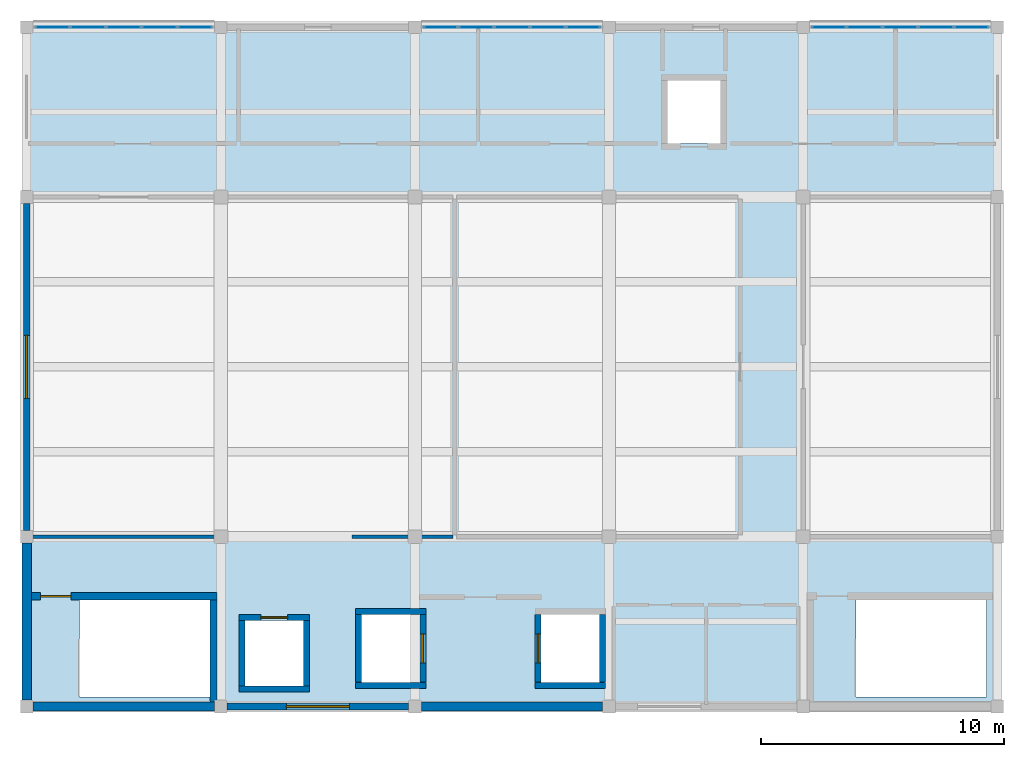
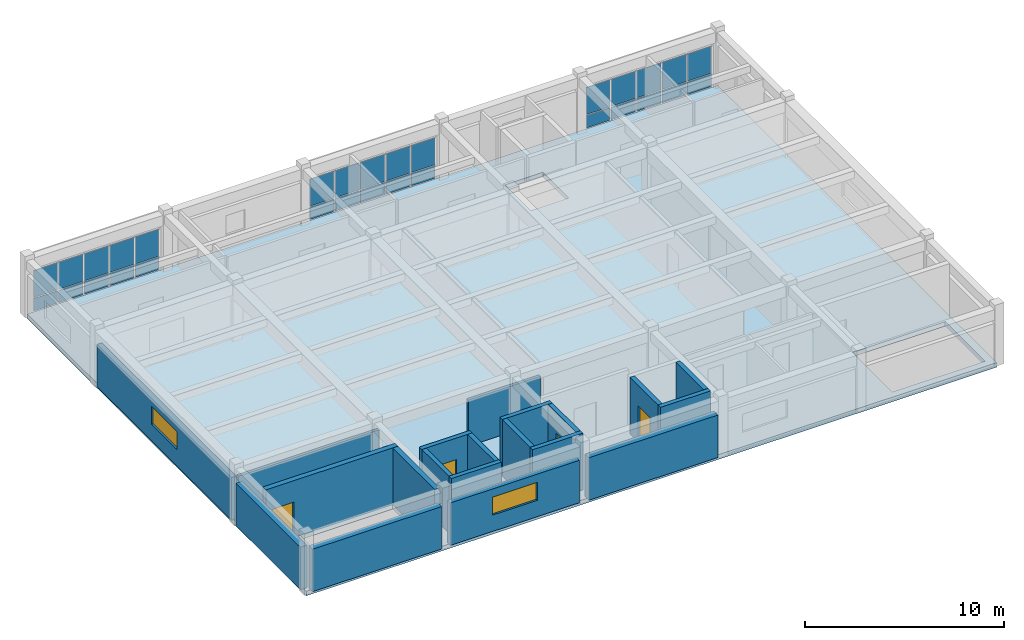
# One storey, part 4 of 7: 30 plates, 20 walls, 4 doors, 2 windows, 1 slab, 6 openings, 3 elements without a shape of their own.
"""IFC4 building model written with IfcOpenShell, lengths in metres."""

from ifc_helpers import new_model, si_unit, direction, frame, frame_2d, origin, origin_2d, place, context, subcontext, project, spatial, polyline, rectangle, outline, extrude, material, layer, layer_set, type_object, element, fill, aggregate, save


model = new_model("IFC4")

# Units and contexts
model_context = context("Model", 3, precision=1e-05, world=origin(), true_north=direction((0.0, 1.0)))
body_context = subcontext(model_context, "Body", "Model", "MODEL_VIEW")
ifc_project = project(units=[si_unit("LENGTHUNIT", "METRE"), si_unit("AREAUNIT", "SQUARE_METRE"), si_unit("VOLUMEUNIT", "CUBIC_METRE"), si_unit("PLANEANGLEUNIT", "RADIAN"), si_unit("MASSUNIT", "GRAM", prefix="KILO")], contexts=[model_context])

# Site, building, storey
site_placement = place(None, origin())
site = spatial("IfcSite", under=ifc_project, at=site_placement, CompositionType="ELEMENT")
building_placement = place(site_placement, origin())
building = spatial("IfcBuilding", under=site, at=building_placement, Name="Naurynzar Civic Courthouse", CompositionType="ELEMENT")
storey_placement = place(building_placement, frame((0.0, 0.0, 37.050048828125)))
storey = spatial("IfcBuildingStorey", under=building, at=storey_placement, Name="L10", CompositionType="ELEMENT", Elevation=37.050048828125)

# Curtain wall, plates
ifc_material_1 = material(Name="Aluminium 6063-T6", Category="aluminium")
ifc_layer_1 = layer(ifc_material_1, 0.179931640625)
ifc_layer_set_1 = layer_set([ifc_layer_1], Name="CW-UNIT-1500")
curtain_wall_type = type_object("IfcCurtainWallType", Name="CW-UNIT-1500", PredefinedType="NOTDEFINED", material=ifc_layer_set_1)
curtain_wall_1_placement = place(storey_placement, origin())
curtain_wall_1 = element("IfcCurtainWall", 1, at=curtain_wall_1_placement, inside=storey, type_object=curtain_wall_type, Name="V2 unitised curtain wall 61 L10", PredefinedType="NOTDEFINED")
ifc_material_2 = material(Name="Tempered Laminated Low-E Glass", Category="glass")
ifc_layer_2 = layer(ifc_material_2, 0.031982421875)
ifc_layer_set_2 = layer_set([ifc_layer_2], Name="CWP-IGU-32")
plate_type = type_object("IfcPlateType", Name="CWP-IGU-32", PredefinedType="CURTAIN_PANEL", material=ifc_layer_set_2)
plate_1_placement = place(storey_placement, frame((70.06494140625, 72.0, 0.06005859375), z_axis=(0.0, 0.0, 1.0), x_axis=(1.0, 0.0, 0.0)))
plate_1 = element("IfcPlate", 2, at=plate_1_placement, type_object=plate_type, Name="CW-01 panel 1.1", PredefinedType="CURTAIN_PANEL", context=body_context, shape_type="SweptSolid", body=[
    extrude(rectangle(XDim=1.385009765625, YDim=0.031982421875, at=origin_2d()), origin(), (0.0, 0.0, 1.0), 0.760009765625),
])
plate_2_placement = place(storey_placement, frame((70.06494140625, 72.0, 0.8798828125), z_axis=(0.0, 0.0, 1.0), x_axis=(1.0, 0.0, 0.0)))
plate_2 = element("IfcPlate", 3, at=plate_2_placement, type_object=plate_type, Name="CW-01 panel 1.2", PredefinedType="CURTAIN_PANEL", context=body_context, shape_type="SweptSolid", body=[
    extrude(rectangle(XDim=1.385009765625, YDim=0.031982421875, at=origin_2d()), origin(), (0.0, 0.0, 1.0), 1.659912109375),
])
plate_3_placement = place(storey_placement, frame((71.52490234375, 72.0, 0.06005859375), z_axis=(0.0, 0.0, 1.0), x_axis=(1.0, 0.0, 0.0)))
plate_3 = element("IfcPlate", 4, at=plate_3_placement, type_object=plate_type, Name="CW-01 panel 2.1", PredefinedType="CURTAIN_PANEL", context=body_context, shape_type="SweptSolid", body=[
    extrude(rectangle(XDim=1.4150390625, YDim=0.031982421875, at=origin_2d()), origin(), (0.0, 0.0, 1.0), 0.760009765625),
])
plate_4_placement = place(storey_placement, frame((71.52490234375, 72.0, 0.8798828125), z_axis=(0.0, 0.0, 1.0), x_axis=(1.0, 0.0, 0.0)))
plate_4 = element("IfcPlate", 5, at=plate_4_placement, type_object=plate_type, Name="CW-01 panel 2.2", PredefinedType="CURTAIN_PANEL", context=body_context, shape_type="SweptSolid", body=[
    extrude(rectangle(XDim=1.4150390625, YDim=0.031982421875, at=origin_2d()), origin(), (0.0, 0.0, 1.0), 1.659912109375),
])
plate_5_placement = place(storey_placement, frame((73.0, 72.0, 0.06005859375), z_axis=(0.0, 0.0, 1.0), x_axis=(1.0, 0.0, 0.0)))
plate_5 = element("IfcPlate", 6, at=plate_5_placement, type_object=plate_type, Name="CW-01 panel 3.1", PredefinedType="CURTAIN_PANEL", context=body_context, shape_type="SweptSolid", body=[
    extrude(rectangle(XDim=1.4150390625, YDim=0.031982421875, at=origin_2d()), origin(), (0.0, 0.0, 1.0), 0.760009765625),
])
plate_6_placement = place(storey_placement, frame((73.0, 72.0, 0.8798828125), z_axis=(0.0, 0.0, 1.0), x_axis=(1.0, 0.0, 0.0)))
plate_6 = element("IfcPlate", 7, at=plate_6_placement, type_object=plate_type, Name="CW-01 panel 3.2", PredefinedType="CURTAIN_PANEL", context=body_context, shape_type="SweptSolid", body=[
    extrude(rectangle(XDim=1.4150390625, YDim=0.031982421875, at=origin_2d()), origin(), (0.0, 0.0, 1.0), 1.659912109375),
])
plate_7_placement = place(storey_placement, frame((74.47509765625, 72.0, 0.06005859375), z_axis=(0.0, 0.0, 1.0), x_axis=(1.0, 0.0, 0.0)))
plate_7 = element("IfcPlate", 8, at=plate_7_placement, type_object=plate_type, Name="CW-01 panel 4.1", PredefinedType="CURTAIN_PANEL", context=body_context, shape_type="SweptSolid", body=[
    extrude(rectangle(XDim=1.4150390625, YDim=0.031982421875, at=origin_2d()), origin(), (0.0, 0.0, 1.0), 0.760009765625),
])
plate_8_placement = place(storey_placement, frame((74.47509765625, 72.0, 0.8798828125), z_axis=(0.0, 0.0, 1.0), x_axis=(1.0, 0.0, 0.0)))
plate_8 = element("IfcPlate", 9, at=plate_8_placement, type_object=plate_type, Name="CW-01 panel 4.2", PredefinedType="CURTAIN_PANEL", context=body_context, shape_type="SweptSolid", body=[
    extrude(rectangle(XDim=1.4150390625, YDim=0.031982421875, at=origin_2d()), origin(), (0.0, 0.0, 1.0), 1.659912109375),
])
plate_9_placement = place(storey_placement, frame((75.93505859375, 72.0, 0.06005859375), z_axis=(0.0, 0.0, 1.0), x_axis=(1.0, 0.0, 0.0)))
plate_9 = element("IfcPlate", 10, at=plate_9_placement, type_object=plate_type, Name="CW-01 panel 5.1", PredefinedType="CURTAIN_PANEL", context=body_context, shape_type="SweptSolid", body=[
    extrude(rectangle(XDim=1.385009765625, YDim=0.031982421875, at=origin_2d()), origin(), (0.0, 0.0, 1.0), 0.760009765625),
])
plate_10_placement = place(storey_placement, frame((75.93505859375, 72.0, 0.8798828125), z_axis=(0.0, 0.0, 1.0), x_axis=(1.0, 0.0, 0.0)))
plate_10 = element("IfcPlate", 11, at=plate_10_placement, type_object=plate_type, Name="CW-01 panel 5.2", PredefinedType="CURTAIN_PANEL", context=body_context, shape_type="SweptSolid", body=[
    extrude(rectangle(XDim=1.385009765625, YDim=0.031982421875, at=origin_2d()), origin(), (0.0, 0.0, 1.0), 1.659912109375),
])
aggregate(curtain_wall_1, [plate_1, plate_2, plate_3, plate_4, plate_5, plate_6, plate_7, plate_8, plate_9, plate_10])

curtain_wall_2_placement = place(storey_placement, origin())
curtain_wall_2 = element("IfcCurtainWall", 12, at=curtain_wall_2_placement, inside=storey, type_object=curtain_wall_type, Name="V2 unitised curtain wall 62 L10", PredefinedType="NOTDEFINED")
plate_11_placement = place(storey_placement, frame((86.06494140625, 72.0, 0.06005859375), z_axis=(0.0, 0.0, 1.0), x_axis=(1.0, 0.0, 0.0)))
plate_11 = element("IfcPlate", 13, at=plate_11_placement, type_object=plate_type, Name="CW-01 panel 1.1", PredefinedType="CURTAIN_PANEL", context=body_context, shape_type="SweptSolid", body=[
    extrude(rectangle(XDim=1.385009765625, YDim=0.031982421875, at=origin_2d()), origin(), (0.0, 0.0, 1.0), 0.760009765625),
])
plate_12_placement = place(storey_placement, frame((86.06494140625, 72.0, 0.8798828125), z_axis=(0.0, 0.0, 1.0), x_axis=(1.0, 0.0, 0.0)))
plate_12 = element("IfcPlate", 14, at=plate_12_placement, type_object=plate_type, Name="CW-01 panel 1.2", PredefinedType="CURTAIN_PANEL", context=body_context, shape_type="SweptSolid", body=[
    extrude(rectangle(XDim=1.385009765625, YDim=0.031982421875, at=origin_2d()), origin(), (0.0, 0.0, 1.0), 1.659912109375),
])
plate_13_placement = place(storey_placement, frame((87.52490234375, 72.0, 0.06005859375), z_axis=(0.0, 0.0, 1.0), x_axis=(1.0, 0.0, 0.0)))
plate_13 = element("IfcPlate", 15, at=plate_13_placement, type_object=plate_type, Name="CW-01 panel 2.1", PredefinedType="CURTAIN_PANEL", context=body_context, shape_type="SweptSolid", body=[
    extrude(rectangle(XDim=1.4150390625, YDim=0.031982421875, at=origin_2d()), origin(), (0.0, 0.0, 1.0), 0.760009765625),
])
plate_14_placement = place(storey_placement, frame((87.52490234375, 72.0, 0.8798828125), z_axis=(0.0, 0.0, 1.0), x_axis=(1.0, 0.0, 0.0)))
plate_14 = element("IfcPlate", 16, at=plate_14_placement, type_object=plate_type, Name="CW-01 panel 2.2", PredefinedType="CURTAIN_PANEL", context=body_context, shape_type="SweptSolid", body=[
    extrude(rectangle(XDim=1.4150390625, YDim=0.031982421875, at=origin_2d()), origin(), (0.0, 0.0, 1.0), 1.659912109375),
])
plate_15_placement = place(storey_placement, frame((89.0, 72.0, 0.06005859375), z_axis=(0.0, 0.0, 1.0), x_axis=(1.0, 0.0, 0.0)))
plate_15 = element("IfcPlate", 17, at=plate_15_placement, type_object=plate_type, Name="CW-01 panel 3.1", PredefinedType="CURTAIN_PANEL", context=body_context, shape_type="SweptSolid", body=[
    extrude(rectangle(XDim=1.4150390625, YDim=0.031982421875, at=origin_2d()), origin(), (0.0, 0.0, 1.0), 0.760009765625),
])
plate_16_placement = place(storey_placement, frame((89.0, 72.0, 0.8798828125), z_axis=(0.0, 0.0, 1.0), x_axis=(1.0, 0.0, 0.0)))
plate_16 = element("IfcPlate", 18, at=plate_16_placement, type_object=plate_type, Name="CW-01 panel 3.2", PredefinedType="CURTAIN_PANEL", context=body_context, shape_type="SweptSolid", body=[
    extrude(rectangle(XDim=1.4150390625, YDim=0.031982421875, at=origin_2d()), origin(), (0.0, 0.0, 1.0), 1.659912109375),
])
plate_17_placement = place(storey_placement, frame((90.47509765625, 72.0, 0.06005859375), z_axis=(0.0, 0.0, 1.0), x_axis=(1.0, 0.0, 0.0)))
plate_17 = element("IfcPlate", 19, at=plate_17_placement, type_object=plate_type, Name="CW-01 panel 4.1", PredefinedType="CURTAIN_PANEL", context=body_context, shape_type="SweptSolid", body=[
    extrude(rectangle(XDim=1.4150390625, YDim=0.031982421875, at=origin_2d()), origin(), (0.0, 0.0, 1.0), 0.760009765625),
])
plate_18_placement = place(storey_placement, frame((90.47509765625, 72.0, 0.8798828125), z_axis=(0.0, 0.0, 1.0), x_axis=(1.0, 0.0, 0.0)))
plate_18 = element("IfcPlate", 20, at=plate_18_placement, type_object=plate_type, Name="CW-01 panel 4.2", PredefinedType="CURTAIN_PANEL", context=body_context, shape_type="SweptSolid", body=[
    extrude(rectangle(XDim=1.4150390625, YDim=0.031982421875, at=origin_2d()), origin(), (0.0, 0.0, 1.0), 1.659912109375),
])
plate_19_placement = place(storey_placement, frame((91.93505859375, 72.0, 0.06005859375), z_axis=(0.0, 0.0, 1.0), x_axis=(1.0, 0.0, 0.0)))
plate_19 = element("IfcPlate", 21, at=plate_19_placement, type_object=plate_type, Name="CW-01 panel 5.1", PredefinedType="CURTAIN_PANEL", context=body_context, shape_type="SweptSolid", body=[
    extrude(rectangle(XDim=1.385009765625, YDim=0.031982421875, at=origin_2d()), origin(), (0.0, 0.0, 1.0), 0.760009765625),
])
plate_20_placement = place(storey_placement, frame((91.93505859375, 72.0, 0.8798828125), z_axis=(0.0, 0.0, 1.0), x_axis=(1.0, 0.0, 0.0)))
plate_20 = element("IfcPlate", 22, at=plate_20_placement, type_object=plate_type, Name="CW-01 panel 5.2", PredefinedType="CURTAIN_PANEL", context=body_context, shape_type="SweptSolid", body=[
    extrude(rectangle(XDim=1.385009765625, YDim=0.031982421875, at=origin_2d()), origin(), (0.0, 0.0, 1.0), 1.659912109375),
])
aggregate(curtain_wall_2, [plate_11, plate_12, plate_13, plate_14, plate_15, plate_16, plate_17, plate_18, plate_19, plate_20])

curtain_wall_3_placement = place(storey_placement, origin())
curtain_wall_3 = element("IfcCurtainWall", 23, at=curtain_wall_3_placement, inside=storey, type_object=curtain_wall_type, Name="V2 unitised curtain wall 63 L10", PredefinedType="NOTDEFINED")
plate_21_placement = place(storey_placement, frame((102.06494140625, 72.0, 0.06005859375), z_axis=(0.0, 0.0, 1.0), x_axis=(1.0, 0.0, 0.0)))
plate_21 = element("IfcPlate", 24, at=plate_21_placement, type_object=plate_type, Name="CW-01 panel 1.1", PredefinedType="CURTAIN_PANEL", context=body_context, shape_type="SweptSolid", body=[
    extrude(rectangle(XDim=1.385009765625, YDim=0.031982421875, at=origin_2d()), origin(), (0.0, 0.0, 1.0), 0.760009765625),
])
plate_22_placement = place(storey_placement, frame((102.06494140625, 72.0, 0.8798828125), z_axis=(0.0, 0.0, 1.0), x_axis=(1.0, 0.0, 0.0)))
plate_22 = element("IfcPlate", 25, at=plate_22_placement, type_object=plate_type, Name="CW-01 panel 1.2", PredefinedType="CURTAIN_PANEL", context=body_context, shape_type="SweptSolid", body=[
    extrude(rectangle(XDim=1.385009765625, YDim=0.031982421875, at=origin_2d()), origin(), (0.0, 0.0, 1.0), 1.659912109375),
])
plate_23_placement = place(storey_placement, frame((103.52490234375, 72.0, 0.06005859375), z_axis=(0.0, 0.0, 1.0), x_axis=(1.0, 0.0, 0.0)))
plate_23 = element("IfcPlate", 26, at=plate_23_placement, type_object=plate_type, Name="CW-01 panel 2.1", PredefinedType="CURTAIN_PANEL", context=body_context, shape_type="SweptSolid", body=[
    extrude(rectangle(XDim=1.4150390625, YDim=0.031982421875, at=origin_2d()), origin(), (0.0, 0.0, 1.0), 0.760009765625),
])
plate_24_placement = place(storey_placement, frame((103.52490234375, 72.0, 0.8798828125), z_axis=(0.0, 0.0, 1.0), x_axis=(1.0, 0.0, 0.0)))
plate_24 = element("IfcPlate", 27, at=plate_24_placement, type_object=plate_type, Name="CW-01 panel 2.2", PredefinedType="CURTAIN_PANEL", context=body_context, shape_type="SweptSolid", body=[
    extrude(rectangle(XDim=1.4150390625, YDim=0.031982421875, at=origin_2d()), origin(), (0.0, 0.0, 1.0), 1.659912109375),
])
plate_25_placement = place(storey_placement, frame((105.0, 72.0, 0.06005859375), z_axis=(0.0, 0.0, 1.0), x_axis=(1.0, 0.0, 0.0)))
plate_25 = element("IfcPlate", 28, at=plate_25_placement, type_object=plate_type, Name="CW-01 panel 3.1", PredefinedType="CURTAIN_PANEL", context=body_context, shape_type="SweptSolid", body=[
    extrude(rectangle(XDim=1.4150390625, YDim=0.031982421875, at=origin_2d()), origin(), (0.0, 0.0, 1.0), 0.760009765625),
])
plate_26_placement = place(storey_placement, frame((105.0, 72.0, 0.8798828125), z_axis=(0.0, 0.0, 1.0), x_axis=(1.0, 0.0, 0.0)))
plate_26 = element("IfcPlate", 29, at=plate_26_placement, type_object=plate_type, Name="CW-01 panel 3.2", PredefinedType="CURTAIN_PANEL", context=body_context, shape_type="SweptSolid", body=[
    extrude(rectangle(XDim=1.4150390625, YDim=0.031982421875, at=origin_2d()), origin(), (0.0, 0.0, 1.0), 1.659912109375),
])
plate_27_placement = place(storey_placement, frame((106.47509765625, 72.0, 0.06005859375), z_axis=(0.0, 0.0, 1.0), x_axis=(1.0, 0.0, 0.0)))
plate_27 = element("IfcPlate", 30, at=plate_27_placement, type_object=plate_type, Name="CW-01 panel 4.1", PredefinedType="CURTAIN_PANEL", context=body_context, shape_type="SweptSolid", body=[
    extrude(rectangle(XDim=1.4150390625, YDim=0.031982421875, at=origin_2d()), origin(), (0.0, 0.0, 1.0), 0.760009765625),
])
plate_28_placement = place(storey_placement, frame((106.47509765625, 72.0, 0.8798828125), z_axis=(0.0, 0.0, 1.0), x_axis=(1.0, 0.0, 0.0)))
plate_28 = element("IfcPlate", 31, at=plate_28_placement, type_object=plate_type, Name="CW-01 panel 4.2", PredefinedType="CURTAIN_PANEL", context=body_context, shape_type="SweptSolid", body=[
    extrude(rectangle(XDim=1.4150390625, YDim=0.031982421875, at=origin_2d()), origin(), (0.0, 0.0, 1.0), 1.659912109375),
])
plate_29_placement = place(storey_placement, frame((107.93505859375, 72.0, 0.06005859375), z_axis=(0.0, 0.0, 1.0), x_axis=(1.0, 0.0, 0.0)))
plate_29 = element("IfcPlate", 32, at=plate_29_placement, type_object=plate_type, Name="CW-01 panel 5.1", PredefinedType="CURTAIN_PANEL", context=body_context, shape_type="SweptSolid", body=[
    extrude(rectangle(XDim=1.385009765625, YDim=0.031982421875, at=origin_2d()), origin(), (0.0, 0.0, 1.0), 0.760009765625),
])
plate_30_placement = place(storey_placement, frame((107.93505859375, 72.0, 0.8798828125), z_axis=(0.0, 0.0, 1.0), x_axis=(1.0, 0.0, 0.0)))
plate_30 = element("IfcPlate", 33, at=plate_30_placement, type_object=plate_type, Name="CW-01 panel 5.2", PredefinedType="CURTAIN_PANEL", context=body_context, shape_type="SweptSolid", body=[
    extrude(rectangle(XDim=1.385009765625, YDim=0.031982421875, at=origin_2d()), origin(), (0.0, 0.0, 1.0), 1.659912109375),
])
aggregate(curtain_wall_3, [plate_21, plate_22, plate_23, plate_24, plate_25, plate_26, plate_27, plate_28, plate_29, plate_30])

# Slab
ifc_material_3 = material(Name="Concrete C35/45", Category="concrete")
ifc_layer_3 = layer(ifc_material_3, 0.280029296875)
ifc_layer_set_3 = layer_set([ifc_layer_3], Name="SLB-PT-280")
slab_type = type_object("IfcSlabType", Name="SLB-PT-280", PredefinedType="FLOOR", material=ifc_layer_set_3)
slab_placement = place(storey_placement, frame((0.0, 0.0, -0.280029296875)))
element("IfcSlab", 34, at=slab_placement, inside=storey, type_object=slab_type, Name="V2 floor slab L10", PredefinedType="FLOOR", context=body_context, shape_type="SweptSolid", body=[
    extrude(outline(polyline([(109.0, 44.0), (109.0, 72.0), (69.0, 72.0), (69.0, 44.0), (109.0, 44.0)]), holes=[polyline([(71.179931640625, 44.39990234375), (76.550048828125, 44.39990234375), (76.550048828125, 48.39990234375), (71.179931640625, 48.39990234375), (71.179931640625, 44.39990234375)]), polyline([(103.179931640625, 44.39990234375), (108.550048828125, 44.39990234375), (108.550048828125, 48.39990234375), (103.179931640625, 48.39990234375), (103.179931640625, 44.39990234375)]), polyline([(78.0, 44.85009765625), (80.39990234375, 44.85009765625), (80.39990234375, 47.550048828125), (78.0, 47.550048828125), (78.0, 44.85009765625)]), polyline([(82.800048828125, 45.0), (85.199951171875, 45.0), (85.199951171875, 47.800048828125), (82.800048828125, 47.800048828125), (82.800048828125, 45.0)]), polyline([(90.199951171875, 45.0), (92.60009765625, 45.0), (92.60009765625, 47.800048828125), (90.199951171875, 47.800048828125), (90.199951171875, 45.0)]), polyline([(95.39990234375, 67.199951171875), (97.60009765625, 67.199951171875), (97.60009765625, 69.800048828125), (95.39990234375, 69.800048828125), (95.39990234375, 67.199951171875)])]), origin(), (0.0, 0.0, 1.0), 0.280029296875),
])

# Walls
ifc_material_4 = material(Name="Acoustic Double-Stud Gypsum Partition")
ifc_layer_4 = layer(ifc_material_4, 0.155029296875)
ifc_layer_set_4 = layer_set([ifc_layer_4], Name="WL-ACOUSTIC-155")
wall_type_1 = type_object("IfcWallType", Name="WL-ACOUSTIC-155", PredefinedType="PARTITIONING", material=ifc_layer_set_4)
wall_1_placement = place(storey_placement, frame((69.080078125, 51.0, 0.0), z_axis=(0.0, 0.0, 1.0), x_axis=(1.0, 0.0, 0.0)))
element("IfcWall", 35, at=wall_1_placement, inside=storey, type_object=wall_type_1, Name="V2 interior partition L10.837", PredefinedType="PARTITIONING", context=body_context, shape_type="SweptSolid", body=[
    extrude(rectangle(XDim=8.119873046875, YDim=0.155029296875, at=frame_2d((4.06005859375, 0.0))), origin(), (0.0, 0.0, 1.0), 2.820068359375),
])
wall_2_placement = place(storey_placement, frame((82.39990234375, 51.0, 0.0), z_axis=(0.0, 0.0, 1.0), x_axis=(1.0, 0.0, 0.0)))
element("IfcWall", 36, at=wall_2_placement, inside=storey, type_object=wall_type_1, Name="V2 interior partition L10.838", PredefinedType="PARTITIONING", context=body_context, shape_type="SweptSolid", body=[
    extrude(rectangle(XDim=4.16015625, YDim=0.155029296875, at=frame_2d((2.080078125, 0.0))), origin(), (0.0, 0.0, 1.0), 2.820068359375),
])

# Wall, opening, door
ifc_material_5 = material(Name="Concrete C40/50", Category="concrete")
ifc_layer_5 = layer(ifc_material_5, 0.300048828125)
ifc_layer_set_5 = layer_set([ifc_layer_5], Name="WL-CORE-300")
wall_type_2 = type_object("IfcWallType", Name="WL-CORE-300", PredefinedType="SHEAR", material=ifc_layer_set_5)
wall_3_placement = place(storey_placement, frame((76.85009765625, 48.550048828125, 0.0), z_axis=(0.0, 0.0, 1.0), x_axis=(-1.0, 0.0, 0.0)))
wall_3 = element("IfcWall", 37, at=wall_3_placement, inside=storey, type_object=wall_type_2, Name="Stair ST-V2A enclosure wall north L10", PredefinedType="SHEAR", context=body_context, shape_type="SweptSolid", body=[
    extrude(rectangle(XDim=7.655029296875, YDim=0.300048828125, at=frame_2d((3.82763671875, 0.0))), origin(), (0.0, 0.0, 1.0), 3.469970703125),
])
opening_1_placement = place(wall_3_placement, frame((6.02490234375, 0.0, 0.0)))
opening_1 = element("IfcOpeningElement", 38, at=opening_1_placement, cuts=wall_3, Name="Opening SD-033", PredefinedType="OPENING", context=body_context, shape_type="SweptSolid", body=[
    extrude(rectangle(XDim=1.25, YDim=2.14990234375, at=frame_2d((0.625, 1.074951171875))), frame((0.0, 0.159912109375, 0.0), z_axis=(0.0, -1.0, 0.0), x_axis=(1.0, 0.0, 0.0)), (0.0, 0.0, 1.0), 0.320068359375),
])
ifc_material_6 = material(Name="Powder-Coated Galvanised Steel", Category="steel")
door_type_1 = type_object("IfcDoorType", Name="DR-STAIR-1250x2150", OperationType="NOTDEFINED", PredefinedType="DOOR", material=ifc_material_6)
door_1_placement = place(opening_1_placement, origin())
door_1 = element("IfcDoor", 39, at=door_1_placement, inside=storey, type_object=door_type_1, Name="Stair ST-V2A fire door L10", OperationType="SINGLE_SWING_LEFT", OverallHeight=2.14990234375, OverallWidth=1.25, PredefinedType="DOOR", context=body_context, shape_type="SweptSolid", body=[
    extrude(rectangle(XDim=1.25, YDim=2.14990234375, at=frame_2d((0.625, 1.074951171875))), frame((0.0, 0.02490234375, 0.0), z_axis=(0.0, -1.0, 0.0), x_axis=(1.0, 0.0, 0.0)), (0.0, 0.0, 1.0), 0.050048828125),
])
fill(opening_1, door_1)

# Wall
wall_4_placement = place(storey_placement, frame((76.699951171875, 44.195068359375, 0.0), z_axis=(0.0, 0.0, 1.0), x_axis=(0.0, 1.0, 0.0)))
element("IfcWall", 40, at=wall_4_placement, inside=storey, type_object=wall_type_2, Name="Stair ST-V2A enclosure wall east L10", PredefinedType="SHEAR", context=body_context, shape_type="SweptSolid", body=[
    extrude(rectangle(XDim=4.199951171875, YDim=0.300048828125, at=frame_2d((2.10009765625, 0.0))), origin(), (0.0, 0.0, 1.0), 3.469970703125),
])

# Wall, opening, window
ifc_material_7 = material(Name="Precast concrete C40/50", Category="concrete")
ifc_layer_6 = layer(ifc_material_7, 0.280029296875)
ifc_layer_set_6 = layer_set([ifc_layer_6], Name="WL-EXT-280")
wall_type_3 = type_object("IfcWallType", Name="WL-EXT-280", PredefinedType="SOLIDWALL", material=ifc_layer_set_6)
wall_5_placement = place(storey_placement, frame((69.0, 51.262451171875, 0.0), z_axis=(0.0, 0.0, 1.0), x_axis=(0.0, 1.0, 0.0)))
wall_5 = element("IfcWall", 41, at=wall_5_placement, inside=storey, type_object=wall_type_3, Name="V2 exterior wall west L10.2.1", PredefinedType="SOLIDWALL", context=body_context, shape_type="SweptSolid", body=[
    extrude(rectangle(XDim=13.47509765625, YDim=0.280029296875, at=frame_2d((6.737548828125, 0.0))), origin(), (0.0, 0.0, 1.0), 2.599853515625),
])
opening_2_placement = place(wall_5_placement, frame((5.4375, 0.0, 1.0)))
opening_2 = element("IfcOpeningElement", 42, at=opening_2_placement, cuts=wall_5, Name="Opening WN-17", PredefinedType="OPENING", context=body_context, shape_type="SweptSolid", body=[
    extrude(rectangle(XDim=2.60009765625, YDim=1.10009765625, at=frame_2d((1.300048828125, 0.550048828125))), frame((0.0, 0.14990234375, 0.0), z_axis=(0.0, -1.0, 0.0), x_axis=(1.0, 0.0, 0.0)), (0.0, 0.0, 1.0), 0.300048828125),
])
ifc_material_8 = material(Name="Tempered Laminated Low-E Glass", Category="glass")
window_type = type_object("IfcWindowType", Name="WIN-CLER-2600x1100", PartitioningType="DOUBLE_PANEL_VERTICAL", PredefinedType="WINDOW", material=ifc_material_8)
window_1_placement = place(opening_2_placement, origin())
window_1 = element("IfcWindow", 43, at=window_1_placement, inside=storey, type_object=window_type, Name="V2 window 132 L10", OverallHeight=1.10009765625, OverallWidth=2.60009765625, PartitioningType="SINGLE_PANEL", PredefinedType="WINDOW", context=body_context, shape_type="SweptSolid", body=[
    extrude(rectangle(XDim=2.60009765625, YDim=1.10009765625, at=frame_2d((1.300048828125, 0.550048828125))), frame((0.0, 0.030029296875, 0.0), z_axis=(0.0, -1.0, 0.0), x_axis=(1.0, 0.0, 0.0)), (0.0, 0.0, 1.0), 0.06005859375),
])
fill(opening_2, window_1)

wall_6_placement = place(storey_placement, frame((84.737548828125, 44.0, 0.0), z_axis=(0.0, 0.0, 1.0), x_axis=(-1.0, 0.0, 0.0)))
wall_6 = element("IfcWall", 44, at=wall_6_placement, inside=storey, type_object=wall_type_3, Name="V2 exterior wall south L10.4.1", PredefinedType="SOLIDWALL", context=body_context, shape_type="SweptSolid", body=[
    extrude(rectangle(XDim=7.47509765625, YDim=0.280029296875, at=frame_2d((3.737548828125, 0.0))), origin(), (0.0, 0.0, 1.0), 2.599853515625),
])
opening_3_placement = place(wall_6_placement, frame((2.4375, 0.0, 1.0)))
opening_3 = element("IfcOpeningElement", 45, at=opening_3_placement, cuts=wall_6, Name="Opening WN-17", PredefinedType="OPENING", context=body_context, shape_type="SweptSolid", body=[
    extrude(rectangle(XDim=2.60009765625, YDim=1.10009765625, at=frame_2d((1.300048828125, 0.550048828125))), frame((0.0, 0.14990234375, 0.0), z_axis=(0.0, -1.0, 0.0), x_axis=(1.0, 0.0, 0.0)), (0.0, 0.0, 1.0), 0.300048828125),
])
window_2_placement = place(opening_3_placement, origin())
window_2 = element("IfcWindow", 46, at=window_2_placement, inside=storey, type_object=window_type, Name="V2 window 139 L10", OverallHeight=1.10009765625, OverallWidth=2.60009765625, PartitioningType="SINGLE_PANEL", PredefinedType="WINDOW", context=body_context, shape_type="SweptSolid", body=[
    extrude(rectangle(XDim=2.60009765625, YDim=1.10009765625, at=frame_2d((1.300048828125, 0.550048828125))), frame((0.0, 0.030029296875, 0.0), z_axis=(0.0, -1.0, 0.0), x_axis=(1.0, 0.0, 0.0)), (0.0, 0.0, 1.0), 0.06005859375),
])
fill(opening_3, window_2)

# Walls
ifc_material_9 = material(Name="Concrete C40/50", Category="concrete")
ifc_layer_7 = layer(ifc_material_9, 0.3798828125)
ifc_layer_set_7 = layer_set([ifc_layer_7], Name="WL-RET-380")
wall_type_4 = type_object("IfcWallType", Name="WL-RET-380", PredefinedType="STANDARD", material=ifc_layer_set_7)
wall_7_placement = place(storey_placement, frame((69.0, 44.262451171875, 0.0), z_axis=(0.0, 0.0, 1.0), x_axis=(0.0, 1.0, 0.0)))
element("IfcWall", 47, at=wall_7_placement, inside=storey, type_object=wall_type_4, Name="V2 exterior wall west L10.1.1", PredefinedType="STANDARD", context=body_context, shape_type="SweptSolid", body=[
    extrude(rectangle(XDim=6.47509765625, YDim=0.3798828125, at=frame_2d((3.237548828125, 0.0))), origin(), (0.0, 0.0, 1.0), 2.599853515625),
])
for number, where, z_axis, x_axis, name in (
    (48, (92.737548828125, 44.0, 0.0), (0.0, 0.0, 1.0), (-1.0, 0.0, 0.0), "V2 exterior wall south L10.3.1"),
    (49, (76.737548828125, 44.0, 0.0), (0.0, 0.0, 1.0), (-1.0, 0.0, 0.0), "V2 exterior wall south L10.5.1"),
):
    element("IfcWall", number, at=place(storey_placement, frame(where, z_axis=z_axis, x_axis=x_axis)), inside=storey, type_object=wall_type_4, Name=name, PredefinedType="STANDARD", context=body_context, shape_type="SweptSolid", body=[
        extrude(rectangle(XDim=7.47509765625, YDim=0.3798828125, at=frame_2d((3.737548828125, 0.0))), origin(), (0.0, 0.0, 1.0), 2.599853515625),
    ])
ifc_material_10 = material(Name="Concrete C40/50", Category="concrete")
ifc_layer_8 = layer(ifc_material_10, 0.25)
ifc_layer_set_8 = layer_set([ifc_layer_8], Name="WL-SHAFT-250")
wall_type_5 = type_object("IfcWallType", Name="WL-SHAFT-250", PredefinedType="SHEAR", material=ifc_layer_set_8)
wall_8_placement = place(storey_placement, frame((77.75, 44.72509765625, 0.0), z_axis=(0.0, 0.0, 1.0), x_axis=(1.0, 0.0, 0.0)))
element("IfcWall", 50, at=wall_8_placement, inside=storey, type_object=wall_type_5, Name="Lift LP-03 shaft wall south L10", PredefinedType="SHEAR", context=body_context, shape_type="SweptSolid", body=[
    extrude(rectangle(XDim=2.89990234375, YDim=0.25, at=frame_2d((1.449951171875, 0.0))), origin(), (0.0, 0.0, 1.0), 3.469970703125),
])

# Wall, opening, door
wall_9_placement = place(storey_placement, frame((80.64990234375, 47.675048828125, 0.0), z_axis=(0.0, 0.0, 1.0), x_axis=(-1.0, 0.0, 0.0)))
wall_9 = element("IfcWall", 51, at=wall_9_placement, inside=storey, type_object=wall_type_5, Name="Lift LP-03 shaft wall north L10", PredefinedType="SHEAR", context=body_context, shape_type="SweptSolid", body=[
    extrude(rectangle(XDim=2.89990234375, YDim=0.25, at=frame_2d((1.449951171875, 0.0))), origin(), (0.0, 0.0, 1.0), 3.469970703125),
])
opening_4_placement = place(wall_9_placement, frame((0.89990234375, 0.0, 0.0)))
opening_4 = element("IfcOpeningElement", 52, at=opening_4_placement, cuts=wall_9, Name="Opening LD-027", PredefinedType="OPENING", context=body_context, shape_type="SweptSolid", body=[
    extrude(rectangle(XDim=1.10009765625, YDim=2.14990234375, at=frame_2d((0.550048828125, 1.074951171875))), frame((0.0, 0.135009765625, 0.0), z_axis=(0.0, -1.0, 0.0), x_axis=(1.0, 0.0, 0.0)), (0.0, 0.0, 1.0), 0.27001953125),
])
ifc_material_11 = material(Name="Brushed Stainless Steel 304", Category="steel")
door_type_2 = type_object("IfcDoorType", Name="DR-LIFT-SLIDE-1100x2150", OperationType="DOUBLE_DOOR_SLIDING", PredefinedType="DOOR", material=ifc_material_11)
door_2_placement = place(opening_4_placement, origin())
door_2 = element("IfcDoor", 53, at=door_2_placement, inside=storey, type_object=door_type_2, Name="Lift LP-03 sliding landing door L10", OperationType="DOUBLE_DOOR_SLIDING", OverallHeight=2.14990234375, OverallWidth=1.10009765625, PredefinedType="DOOR", context=body_context, shape_type="SweptSolid", body=[
    extrude(rectangle(XDim=1.10009765625, YDim=2.14990234375, at=frame_2d((0.550048828125, 1.074951171875))), frame((0.0, 0.02490234375, 0.0), z_axis=(0.0, -1.0, 0.0), x_axis=(1.0, 0.0, 0.0)), (0.0, 0.0, 1.0), 0.050048828125),
])
fill(opening_4, door_2)

# Walls
for number, where, z_axis, x_axis, name in (
    (54, (77.875, 47.544921875, 0.0), (0.0, 0.0, 1.0), (0.0, -1.0, 0.0), "Lift LP-03 shaft wall west L10"),
    (55, (80.52490234375, 44.85498046875, 0.0), (0.0, 0.0, 1.0), (0.0, 1.0, 0.0), "Lift LP-03 shaft wall east L10"),
):
    element("IfcWall", number, at=place(storey_placement, frame(where, z_axis=z_axis, x_axis=x_axis)), inside=storey, type_object=wall_type_5, Name=name, PredefinedType="SHEAR", context=body_context, shape_type="SweptSolid", body=[
        extrude(rectangle(XDim=2.68994140625, YDim=0.25, at=frame_2d((1.344970703125, 0.0))), origin(), (0.0, 0.0, 1.0), 3.469970703125),
    ])
for number, where, z_axis, x_axis, name in (
    (56, (82.550048828125, 44.875, 0.0), (0.0, 0.0, 1.0), (1.0, 0.0, 0.0), "Lift FL-02 shaft wall south L10"),
    (57, (85.449951171875, 47.925048828125, 0.0), (0.0, 0.0, 1.0), (-1.0, 0.0, 0.0), "Lift FL-02 shaft wall north L10"),
):
    element("IfcWall", number, at=place(storey_placement, frame(where, z_axis=z_axis, x_axis=x_axis)), inside=storey, type_object=wall_type_5, Name=name, PredefinedType="SHEAR", context=body_context, shape_type="SweptSolid", body=[
        extrude(rectangle(XDim=2.89990234375, YDim=0.25, at=frame_2d((1.449951171875, 0.0))), origin(), (0.0, 0.0, 1.0), 3.469970703125),
    ])
wall_10_placement = place(storey_placement, frame((82.675048828125, 47.794921875, 0.0), z_axis=(0.0, 0.0, 1.0), x_axis=(0.0, -1.0, 0.0)))
element("IfcWall", 58, at=wall_10_placement, inside=storey, type_object=wall_type_5, Name="Lift FL-02 shaft wall west L10", PredefinedType="SHEAR", context=body_context, shape_type="SweptSolid", body=[
    extrude(rectangle(XDim=2.7900390625, YDim=0.25, at=frame_2d((1.39501953125, 0.0))), origin(), (0.0, 0.0, 1.0), 3.469970703125),
])

# Wall, opening, door
wall_11_placement = place(storey_placement, frame((85.324951171875, 45.0048828125, 0.0), z_axis=(0.0, 0.0, 1.0), x_axis=(0.0, 1.0, 0.0)))
wall_11 = element("IfcWall", 59, at=wall_11_placement, inside=storey, type_object=wall_type_5, Name="Lift FL-02 shaft wall east L10", PredefinedType="SHEAR", context=body_context, shape_type="SweptSolid", body=[
    extrude(rectangle(XDim=2.7900390625, YDim=0.25, at=frame_2d((1.39501953125, 0.0))), origin(), (0.0, 0.0, 1.0), 3.469970703125),
])
opening_5_placement = place(wall_11_placement, frame((0.794921875, 0.0, 0.0)))
opening_5 = element("IfcOpeningElement", 60, at=opening_5_placement, cuts=wall_11, Name="Opening LD-038", PredefinedType="OPENING", context=body_context, shape_type="SweptSolid", body=[
    extrude(rectangle(XDim=1.199951171875, YDim=2.199951171875, at=frame_2d((0.60009765625, 1.10009765625))), frame((0.0, 0.135009765625, 0.0), z_axis=(0.0, -1.0, 0.0), x_axis=(1.0, 0.0, 0.0)), (0.0, 0.0, 1.0), 0.27001953125),
])
ifc_material_12 = material(Name="Brushed Stainless Steel 304", Category="steel")
door_type_3 = type_object("IfcDoorType", Name="DR-LIFT-FF-1200x2200", OperationType="DOUBLE_DOOR_SLIDING", PredefinedType="DOOR", material=ifc_material_12)
door_3_placement = place(opening_5_placement, origin())
door_3 = element("IfcDoor", 61, at=door_3_placement, inside=storey, type_object=door_type_3, Name="Lift FL-02 sliding landing door L10", OperationType="DOUBLE_DOOR_SLIDING", OverallHeight=2.199951171875, OverallWidth=1.199951171875, PredefinedType="DOOR", context=body_context, shape_type="SweptSolid", body=[
    extrude(rectangle(XDim=1.199951171875, YDim=2.199951171875, at=frame_2d((0.60009765625, 1.10009765625))), frame((0.0, 0.02490234375, 0.0), z_axis=(0.0, -1.0, 0.0), x_axis=(1.0, 0.0, 0.0)), (0.0, 0.0, 1.0), 0.050048828125),
])
fill(opening_5, door_3)

# Wall
wall_12_placement = place(storey_placement, frame((89.949951171875, 44.875, 0.0), z_axis=(0.0, 0.0, 1.0), x_axis=(1.0, 0.0, 0.0)))
element("IfcWall", 62, at=wall_12_placement, inside=storey, type_object=wall_type_5, Name="Lift FL-01 shaft wall south L10", PredefinedType="SHEAR", context=body_context, shape_type="SweptSolid", body=[
    extrude(rectangle(XDim=2.900146484375, YDim=0.25, at=frame_2d((1.4501953125, 0.0))), origin(), (0.0, 0.0, 1.0), 3.469970703125),
])

# Wall, opening, door
wall_13_placement = place(storey_placement, frame((90.074951171875, 47.794921875, 0.0), z_axis=(0.0, 0.0, 1.0), x_axis=(0.0, -1.0, 0.0)))
wall_13 = element("IfcWall", 63, at=wall_13_placement, inside=storey, type_object=wall_type_5, Name="Lift FL-01 shaft wall west L10", PredefinedType="SHEAR", context=body_context, shape_type="SweptSolid", body=[
    extrude(rectangle(XDim=2.7900390625, YDim=0.25, at=frame_2d((1.39501953125, 0.0))), origin(), (0.0, 0.0, 1.0), 3.469970703125),
])
opening_6_placement = place(wall_13_placement, frame((0.794921875, 0.0, 0.0)))
opening_6 = element("IfcOpeningElement", 64, at=opening_6_placement, cuts=wall_13, Name="Opening LD-049", PredefinedType="OPENING", context=body_context, shape_type="SweptSolid", body=[
    extrude(rectangle(XDim=1.199951171875, YDim=2.199951171875, at=frame_2d((0.60009765625, 1.10009765625))), frame((0.0, 0.135009765625, 0.0), z_axis=(0.0, -1.0, 0.0), x_axis=(1.0, 0.0, 0.0)), (0.0, 0.0, 1.0), 0.27001953125),
])
door_4_placement = place(opening_6_placement, origin())
door_4 = element("IfcDoor", 65, at=door_4_placement, inside=storey, type_object=door_type_3, Name="Lift FL-01 sliding landing door L10", OperationType="DOUBLE_DOOR_SLIDING", OverallHeight=2.199951171875, OverallWidth=1.199951171875, PredefinedType="DOOR", context=body_context, shape_type="SweptSolid", body=[
    extrude(rectangle(XDim=1.199951171875, YDim=2.199951171875, at=frame_2d((0.60009765625, 1.10009765625))), frame((0.0, 0.02490234375, 0.0), z_axis=(0.0, -1.0, 0.0), x_axis=(1.0, 0.0, 0.0)), (0.0, 0.0, 1.0), 0.050048828125),
])
fill(opening_6, door_4)

# Wall
wall_14_placement = place(storey_placement, frame((92.72509765625, 45.0048828125, 0.0), z_axis=(0.0, 0.0, 1.0), x_axis=(0.0, 1.0, 0.0)))
element("IfcWall", 66, at=wall_14_placement, inside=storey, type_object=wall_type_5, Name="Lift FL-01 shaft wall east L10", PredefinedType="SHEAR", context=body_context, shape_type="SweptSolid", body=[
    extrude(rectangle(XDim=2.7900390625, YDim=0.25, at=frame_2d((1.39501953125, 0.0))), origin(), (0.0, 0.0, 1.0), 3.469970703125),
])

save(model, "model.ifc")
